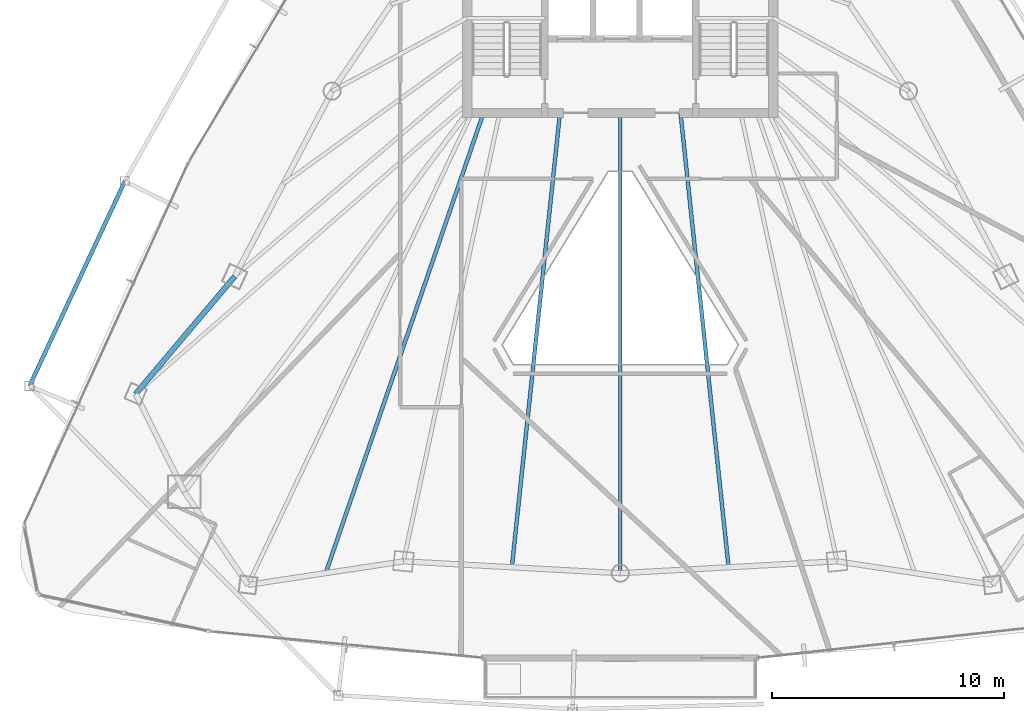
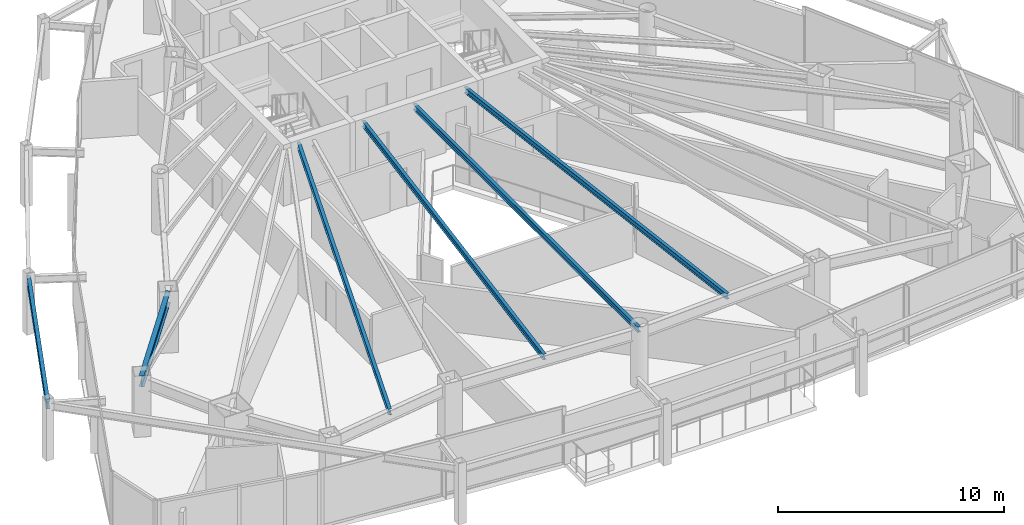
# One storey, part 8 of 31: 6 beams.
"""IFC4 building model written with IfcOpenShell, lengths in metres."""

import ifcopenshell
import ifcopenshell.guid

model = None  # the IFC model being written
_history = None  # IfcOwnerHistory: only IFC2X3 demands one
_inside = {}  # id of a spatial element -> (the spatial element, [elements in it])
_under = {}  # id of a project, library or spatial element -> (it, [spatial elements below it])
_declared = {}  # id of a project -> (the project, [libraries it declares])
_typed = {}  # id of a type object -> (the type object, [elements of that type])
_made_of = {}  # id of a material, layer set ... -> (it, [elements and type objects made of it])


def new_model(schema):
    """Start an empty IFC model of exactly this schema.

    Asked for "IFC4X3", IfcOpenShell would pick the latest addendum, in which some entities
    have other attributes; the version numbers below select the first issue.
    IFC2X3 requires an IfcOwnerHistory on every rooted entity: one is made here for all.
    """
    global model, _history
    if schema == "IFC4X3":
        model = ifcopenshell.file(schema_version=(4, 3, 0, 0))
    else:
        model = ifcopenshell.file(schema=schema)
    _inside.clear()
    _under.clear()
    _declared.clear()
    _typed.clear()
    _made_of.clear()
    _history = None
    if model.schema == "IFC2X3":
        org = make("IfcOrganization", Name="unknown")
        user = make(
            "IfcPersonAndOrganization",
            ThePerson=make("IfcPerson", FamilyName="unknown"),
            TheOrganization=org,
        )
        app = make(
            "IfcApplication",
            ApplicationDeveloper=org,
            Version="unknown",
            ApplicationFullName="unknown",
            ApplicationIdentifier="unknown",
        )
        _history = make(
            "IfcOwnerHistory",
            OwningUser=user,
            OwningApplication=app,
            ChangeAction="ADDED",
            CreationDate=0,
        )
    return model


def make(cls, **values):
    """One entity of the class cls with the attributes given. An attribute that is None is left unset."""
    return model.create_entity(
        cls, **{name: value for name, value in values.items() if value is not None}
    )


def rooted(cls, **values):
    """An entity with a GlobalId (a new one), such as an element, a storey or a relation."""
    return make(cls, GlobalId=ifcopenshell.guid.new(), OwnerHistory=_history, **values)


def si_unit(unit_type, name, prefix=None):
    """IfcSIUnit, for example si_unit("LENGTHUNIT", "METRE", prefix="MILLI")."""
    return make("IfcSIUnit", UnitType=unit_type, Prefix=prefix, Name=name)


def assignment(units):
    """IfcUnitAssignment: the units of a project."""
    return None if units is None else make("IfcUnitAssignment", Units=units)


def point(xyz):
    """IfcCartesianPoint."""
    return None if xyz is None else make("IfcCartesianPoint", Coordinates=xyz)


def direction(xyz):
    """IfcDirection."""
    return None if xyz is None else make("IfcDirection", DirectionRatios=xyz)


def frame(location, z_axis=None, x_axis=None):
    """IfcAxis2Placement3D, a coordinate frame: its origin and axes. An axis left out is left unset."""
    return make(
        "IfcAxis2Placement3D",
        Location=point(location),
        Axis=direction(z_axis),
        RefDirection=direction(x_axis),
    )


def frame_2d(location, x_axis=None):
    """IfcAxis2Placement2D, a coordinate frame in the plane: its origin and x axis."""
    return make(
        "IfcAxis2Placement2D", Location=point(location), RefDirection=direction(x_axis)
    )


def origin():
    """The frame at (0, 0, 0) with its axes left unset."""
    return frame((0.0, 0.0, 0.0))


def origin_2d():
    """The frame at (0, 0) in the plane with its x axis left unset."""
    return frame_2d((0.0, 0.0))


def place(relative_to, where):
    """IfcLocalPlacement: puts the frame where relative to a parent placement (None: the world)."""
    return make(
        "IfcLocalPlacement", PlacementRelTo=relative_to, RelativePlacement=where
    )


def context(
    kind, dimensions, precision=None, world=None, true_north=None, identifier=None
):
    """IfcGeometricRepresentationContext, for example the 3D "Model" context."""
    return make(
        "IfcGeometricRepresentationContext",
        ContextIdentifier=identifier,
        ContextType=kind,
        CoordinateSpaceDimension=dimensions,
        Precision=precision,
        WorldCoordinateSystem=world,
        TrueNorth=true_north,
    )


def subcontext(parent, identifier, kind, view, scale=None):
    """IfcGeometricRepresentationSubContext, for example "Body" below "Model"."""
    return make(
        "IfcGeometricRepresentationSubContext",
        ContextIdentifier=identifier,
        ContextType=kind,
        ParentContext=parent,
        TargetScale=scale,
        TargetView=view,
    )


def project(units=None, contexts=None):
    """IfcProject with its units and contexts."""
    return rooted(
        "IfcProject",
        Name="project",
        RepresentationContexts=contexts,
        UnitsInContext=assignment(units),
    )


def spatial(cls, under=None, at=None, **own):
    """A site, building, storey or space (cls), placed at a placement, below another one or the project."""
    s = rooted(cls, ObjectPlacement=at, **own)
    if under is not None:
        _under.setdefault(under.id(), (under, []))[1].append(s)
    return s


def profile(cls, at=None, kind="AREA", **sizes):
    """A parametric profile (cls). Its sizes go by their IFC names, for example OverallWidth=200.0."""
    return make(cls, ProfileType=kind, Position=at, **sizes)


def i_section(**sizes):
    """IfcIShapeProfileDef."""
    return profile("IfcIShapeProfileDef", **sizes)


def extrude(swept, where, along, depth):
    """IfcExtrudedAreaSolid: the profile swept, set in the frame where, extruded along a direction by depth."""
    return make(
        "IfcExtrudedAreaSolid",
        SweptArea=swept,
        Position=where,
        ExtrudedDirection=direction(along),
        Depth=depth,
    )


def shape(context_of_items, identifier, shape_type, items):
    """IfcShapeRepresentation: the items that make up one representation, for example the "Body"."""
    return make(
        "IfcShapeRepresentation",
        ContextOfItems=context_of_items,
        RepresentationIdentifier=identifier,
        RepresentationType=shape_type,
        Items=items,
    )


def material(Name=None, Category=None):
    """IfcMaterial."""
    return make("IfcMaterial", Name=Name, Category=Category)


def material_profile(
    of_material, cross_section, Name=None, Category=None, Priority=None
):
    """IfcMaterialProfile: a cross section and its material."""
    return make(
        "IfcMaterialProfile",
        Name=Name,
        Material=of_material,
        Profile=cross_section,
        Priority=Priority,
        Category=Category,
    )


def profile_set(profiles, Name=None, composite=None):
    """IfcMaterialProfileSet."""
    return make(
        "IfcMaterialProfileSet",
        Name=Name,
        MaterialProfiles=profiles,
        CompositeProfile=composite,
    )


def made_of(thing, what):
    """Note that an element or type object is made of a material, layer set ...; save() writes the relation."""
    if what is not None:
        _made_of.setdefault(what.id(), (what, []))[1].append(thing)
    return thing


def type_object(cls, material=None, **own):
    """A type object (cls), such as IfcWallType, which elements share."""
    return made_of(rooted(cls, **own), material)


def element(
    cls,
    number,
    at=None,
    inside=None,
    cuts=None,
    type_object=None,
    material=None,
    context=None,
    identifier="Body",
    shape_type=None,
    held_by="IfcProductDefinitionShape",
    body=None,
    shapes=None,
    **own,
):
    """One element of the class cls, such as IfcWall. Its Tag is "e" and its number.

    at: its placement. inside: the storey or other place that contains it. cuts: it is an
    opening in that element (IfcRelVoidsElement). A single representation is given by context,
    identifier, shape_type and body (its items); several are given by shapes. held_by: the class
    of the entity that holds the representations. save() writes the other relations.
    """
    e = rooted(cls, Tag="e%d" % number, ObjectPlacement=at, **own)
    if body is not None:
        shapes = [shape(context, identifier, shape_type, body)]
    if shapes is not None:
        e.Representation = make(held_by, Representations=shapes)
    if inside is not None:
        _inside.setdefault(inside.id(), (inside, []))[1].append(e)
    if cuts is not None:
        rooted(
            "IfcRelVoidsElement", RelatingBuildingElement=cuts, RelatedOpeningElement=e
        )
    if type_object is not None:
        _typed.setdefault(type_object.id(), (type_object, []))[1].append(e)
    return made_of(e, material)


def aggregate(whole, parts):
    """IfcRelAggregates: a whole, such as a stair, and the parts it consists of."""
    return rooted("IfcRelAggregates", RelatingObject=whole, RelatedObjects=parts)


def save(model, path):
    """Write the relations noted so far, then the file.

    IfcRelAggregates (storeys below a building ...), IfcRelContainedInSpatialStructure (elements
    in a storey), IfcRelDefinesByType, IfcRelAssociatesMaterial and IfcRelDeclares: one each for
    every whole, place, type object, material and project.
    """
    for whole, parts in _under.values():
        aggregate(whole, parts)
    for where, things in _inside.values():
        rooted(
            "IfcRelContainedInSpatialStructure",
            RelatedElements=things,
            RelatingStructure=where,
        )
    for kind, things in _typed.values():
        rooted("IfcRelDefinesByType", RelatedObjects=things, RelatingType=kind)
    for what, things in _made_of.values():
        rooted("IfcRelAssociatesMaterial", RelatedObjects=things, RelatingMaterial=what)
    for by, libraries in _declared.values():
        rooted("IfcRelDeclares", RelatingContext=by, RelatedDefinitions=libraries)
    model.write(path)


model = new_model("IFC4")

# Units and contexts
model_context = context("Model", 3, precision=1e-05, world=origin(), true_north=direction((0.0, 1.0)))
body_context = subcontext(model_context, "Body", "Model", "MODEL_VIEW")
ifc_project = project(units=[si_unit("LENGTHUNIT", "METRE"), si_unit("AREAUNIT", "SQUARE_METRE"), si_unit("VOLUMEUNIT", "CUBIC_METRE"), si_unit("PLANEANGLEUNIT", "RADIAN"), si_unit("MASSUNIT", "GRAM", prefix="KILO")], contexts=[model_context])

# Site, building, storey
site_placement = place(None, origin())
site = spatial("IfcSite", under=ifc_project, at=site_placement, CompositionType="ELEMENT")
building_placement = place(site_placement, origin())
building = spatial("IfcBuilding", under=site, at=building_placement, Name="Orvanel Arch Residences", CompositionType="ELEMENT")
storey_placement = place(building_placement, frame((0.0, 0.0, 126.5)))
storey = spatial("IfcBuildingStorey", under=building, at=storey_placement, Name="L35", CompositionType="ELEMENT", Elevation=126.5)

# Beams
ifc_material = material(Name="Structural steel AS/NZS 3679.1 Grade 300 (300 MPa)", Category="steel")
ifc_material_profile_1 = material_profile(ifc_material, i_section(OverallWidth=0.1650390625, OverallDepth=0.303955078125, WebThickness=0.006103515625, FlangeThickness=0.01025390625, at=origin_2d()), Name="310UB40.4")
ifc_profile_set_1 = profile_set([ifc_material_profile_1], Name="Structural steel AS/NZS 3679.1 Grade 300 (300 MPa)")
beam_type_1 = type_object("IfcBeamType", Name="BJ-310UB", PredefinedType="JOIST", material=ifc_profile_set_1)
beam_1_placement = place(storey_placement, frame((33.0, 26.699951171875, 2.907958984375), z_axis=(0.0, -1.0, 0.0), x_axis=(1.0, 0.0, 0.0)))
element("IfcBeam", 1, at=beam_1_placement, inside=storey, type_object=beam_type_1, Name="L35 SSW Wing Floor Joist", PredefinedType="JOIST", context=body_context, shape_type="SweptSolid", body=[
    extrude(i_section(OverallWidth=0.1650390625, OverallDepth=0.303955078125, WebThickness=0.006103515625, FlangeThickness=0.01025390625, at=origin_2d()), origin(), (0.0, 0.0, 1.0), 19.85595703125),
])
for number, where, z_axis, x_axis, name in (
    (2, (30.39990234375, 26.699951171875, 2.907958984375), (-0.105277340935, -0.994442900063, 0.0), (0.994442900063, -0.105277340935, 0.0), "L35 WSW2 Wing Floor Joist"),
    (3, (35.60009765625, 26.699951171875, 2.907958984375), (0.105277340935, -0.994442900063, 0.0), (0.994442900063, 0.105277340935, 0.0), "L35 ESE2 Wing Floor Joist"),
):
    element("IfcBeam", number, at=place(storey_placement, frame(where, z_axis=z_axis, x_axis=x_axis)), inside=storey, type_object=beam_type_1, Name=name, PredefinedType="JOIST", context=body_context, shape_type="SweptSolid", body=[
        extrude(i_section(OverallWidth=0.1650390625, OverallDepth=0.303955078125, WebThickness=0.006103515625, FlangeThickness=0.01025390625, at=origin_2d()), origin(), (0.0, 0.0, 1.0), 19.70947265625),
    ])
beam_2_placement = place(storey_placement, frame((27.10009765625, 26.699951171875, 2.907958984375), z_axis=(-0.324257108963, -0.945968988544, 0.0), x_axis=(0.945968988544, -0.324257108963, 0.0)))
element("IfcBeam", 4, at=beam_2_placement, inside=storey, type_object=beam_type_1, Name="L35 JADD1 Wing Floor Joist", PredefinedType="JOIST", context=body_context, shape_type="SweptSolid", body=[
    extrude(i_section(OverallWidth=0.1650390625, OverallDepth=0.303955078125, WebThickness=0.006103515625, FlangeThickness=0.01025390625, at=origin_2d()), origin(), (0.0, 0.0, 1.0), 20.987060546875),
])
ifc_material_profile_2 = material_profile(ifc_material, i_section(OverallWidth=0.177978515625, OverallDepth=0.406005859375, WebThickness=0.0078125, FlangeThickness=0.0126953125, at=origin_2d()), Name="410UB59.7")
ifc_profile_set_2 = profile_set([ifc_material_profile_2], Name="Structural steel AS/NZS 3679.1 Grade 300 (300 MPa)")
beam_type_2 = type_object("IfcBeamType", Name="OB-410UB-EXT", PredefinedType="SPANDREL", material=ifc_profile_set_2)
beam_3_placement = place(storey_placement, frame((11.6279296875, 23.751953125, 2.85693359375), z_axis=(-0.421938673607, -0.906624374101, 0.0), x_axis=(0.906624374101, -0.421938673607, 0.0)))
element("IfcBeam", 5, at=beam_3_placement, inside=storey, type_object=beam_type_2, Name="L35 Outer Perimeter Floor Ring Beam 03", PredefinedType="SPANDREL", context=body_context, shape_type="SweptSolid", body=[
    extrude(i_section(OverallWidth=0.177978515625, OverallDepth=0.406005859375, WebThickness=0.0078125, FlangeThickness=0.0126953125, at=origin_2d()), origin(), (0.0, 0.0, 1.0), 9.74267578125),
])
ifc_material_profile_3 = material_profile(ifc_material, i_section(OverallWidth=0.22900390625, OverallDepth=0.612060546875, WebThickness=0.011962890625, FlangeThickness=0.01953125, at=origin_2d()), Name="610UB125")
ifc_profile_set_3 = profile_set([ifc_material_profile_3], Name="Structural steel AS/NZS 3679.1 Grade 300 (300 MPa)")
beam_type_3 = type_object("IfcBeamType", Name="SP-610UB", PredefinedType="SPANDREL", material=ifc_profile_set_3)
beam_4_placement = place(storey_placement, frame((16.366943359375, 19.64208984375, 2.75390625), z_axis=(-0.644950329775, -0.764224490659, 0.0), x_axis=(0.764224490659, -0.644950329775, 0.0)))
element("IfcBeam", 6, at=beam_4_placement, inside=storey, type_object=beam_type_3, Name="L35 Perimeter Spandrel Beam 01", PredefinedType="SPANDREL", context=body_context, shape_type="SweptSolid", body=[
    extrude(i_section(OverallWidth=0.22900390625, OverallDepth=0.612060546875, WebThickness=0.011962890625, FlangeThickness=0.01953125, at=origin_2d()), origin(), (0.0, 0.0, 1.0), 6.623779296875),
])

save(model, "model.ifc")
